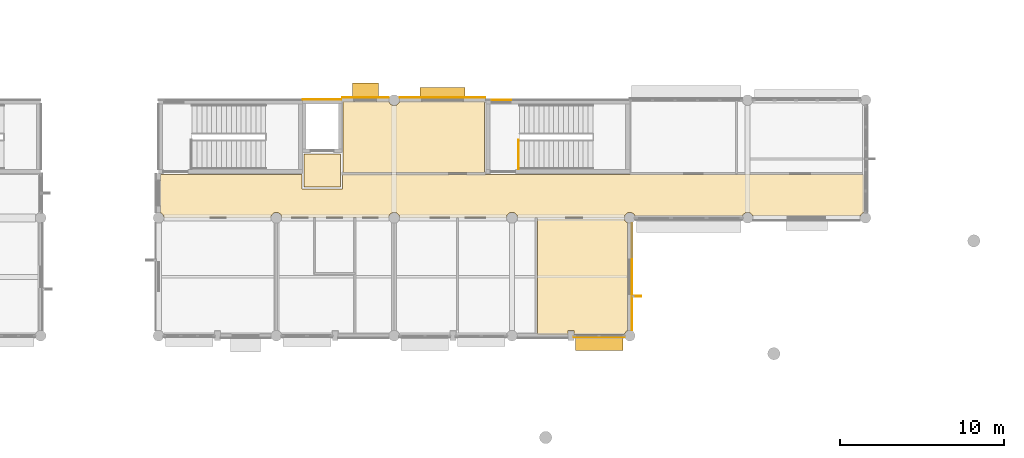
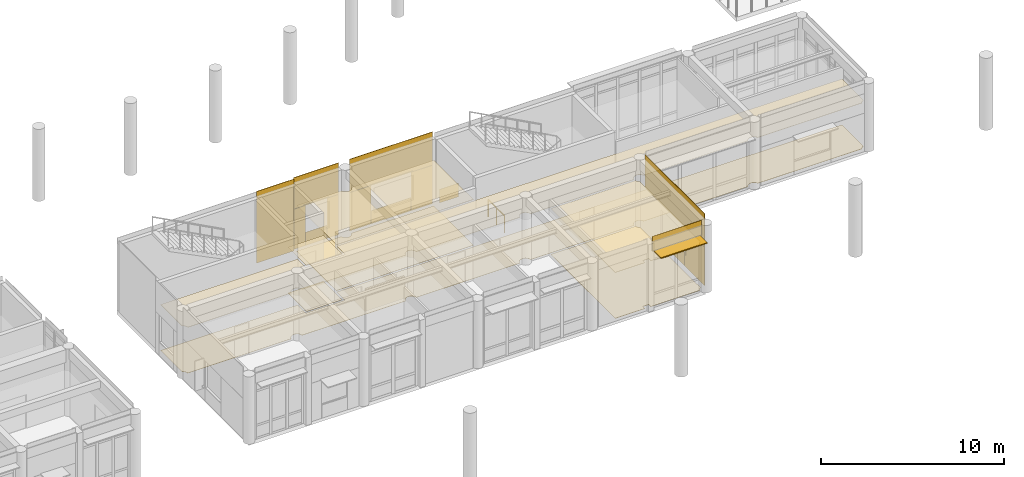
# One storey, part 75 of 92: 22 coverings, 4 shading devices, 1 railing.
"""IFC4 building model written with IfcOpenShell, lengths in metres."""

from ifc_helpers import new_model, si_unit, direction, frame, origin, origin_2d, place, context, subcontext, project, spatial, polyline, rectangle, circle, outline, extrude, material, layer, layer_set, type_object, element, save


model = new_model("IFC4")

# Units and contexts
model_context = context("Model", 3, precision=1e-05, world=origin(), true_north=direction((0.0, 1.0)))
body_context = subcontext(model_context, "Body", "Model", "MODEL_VIEW")
ifc_project = project(units=[si_unit("LENGTHUNIT", "METRE"), si_unit("AREAUNIT", "SQUARE_METRE"), si_unit("VOLUMEUNIT", "CUBIC_METRE"), si_unit("PLANEANGLEUNIT", "RADIAN"), si_unit("MASSUNIT", "GRAM", prefix="KILO")], contexts=[model_context])

# Site, building, storey
site_placement = place(None, origin())
site = spatial("IfcSite", under=ifc_project, at=site_placement, CompositionType="ELEMENT")
building_placement = place(site_placement, origin())
building = spatial("IfcBuilding", under=site, at=building_placement, Name="Namkhue Oval Health Centre", CompositionType="ELEMENT")
storey_placement = place(building_placement, frame((0.0, 0.0, 4.800048828125)))
storey = spatial("IfcBuildingStorey", under=building, at=storey_placement, Name="L01", CompositionType="ELEMENT", Elevation=4.800048828125)

# Coverings
ifc_material_1 = material(Name="Acoustic mineral-fibre cleanroom ceiling", Category="gypsum")
ifc_layer_1 = layer(ifc_material_1, 0.02001953125)
ifc_layer_set_1 = layer_set([ifc_layer_1], Name="Acoustic mineral-fibre cleanroom ceiling")
covering_type_1 = type_object("IfcCoveringType", Name="ACOUSTIC CLEANROOM CEILING 20", PredefinedType="CEILING", material=ifc_layer_set_1)
covering_1_placement = place(storey_placement, frame((0.0, 0.0, 3.050048828125)))
element("IfcCovering", 1, at=covering_1_placement, inside=storey, type_object=covering_type_1, Name="Acoustic Ceiling L01-LL6 Lift Lobby LF-06", PredefinedType="CEILING", context=body_context, shape_type="SweptSolid", body=[
    extrude(outline(polyline([(102.47998046875, 23.47998046875), (102.47998046875, 25.52001953125), (104.719970703125, 25.52001953125), (104.719970703125, 23.47998046875), (102.47998046875, 23.47998046875)])), origin(), (0.0, 0.0, 1.0), 0.02001953125),
])
covering_2_placement = place(storey_placement, frame((0.0, 0.0, 3.050048828125)))
element("IfcCovering", 2, at=covering_2_placement, inside=storey, type_object=covering_type_1, Name="Acoustic Ceiling L01-V5-C1 V5 Clinical Corridor", PredefinedType="CEILING", context=body_context, shape_type="SweptSolid", body=[
    extrude(outline(polyline([(115.52978515625, 21.639892578125), (115.523681640625, 21.686767578125), (115.489990234375, 21.767578125), (115.43701171875, 21.8369140625), (115.367431640625, 21.89013671875), (115.28662109375, 21.923583984375), (115.199951171875, 21.93505859375), (115.11328125, 21.923583984375), (115.032470703125, 21.89013671875), (114.963134765625, 21.8369140625), (114.909912109375, 21.767578125), (114.87646484375, 21.686767578125), (114.870361328125, 21.639892578125), (108.32958984375, 21.639892578125), (108.323486328125, 21.686767578125), (108.2900390625, 21.767578125), (108.23681640625, 21.8369140625), (108.16748046875, 21.89013671875), (108.086669921875, 21.923583984375), (108.0, 21.93505859375), (107.913330078125, 21.923583984375), (107.83251953125, 21.89013671875), (107.76318359375, 21.8369140625), (107.7099609375, 21.767578125), (107.676513671875, 21.686767578125), (107.67041015625, 21.639892578125), (101.129638671875, 21.639892578125), (101.12353515625, 21.686767578125), (101.090087890625, 21.767578125), (101.036865234375, 21.8369140625), (100.967529296875, 21.89013671875), (100.88671875, 21.923583984375), (100.800048828125, 21.93505859375), (100.71337890625, 21.923583984375), (100.632568359375, 21.89013671875), (100.56298828125, 21.8369140625), (100.510009765625, 21.767578125), (100.476318359375, 21.686767578125), (100.47021484375, 21.639892578125), (93.9296875, 21.639892578125), (93.923583984375, 21.686767578125), (93.89013671875, 21.767578125), (93.8369140625, 21.8369140625), (93.767578125, 21.89013671875), (93.72509765625, 21.90771484375), (93.72509765625, 24.260009765625), (102.360107421875, 24.260009765625), (102.360107421875, 23.39990234375), (102.363037109375, 23.384765625), (102.37158203125, 23.37158203125), (102.384765625, 23.363037109375), (102.39990234375, 23.360107421875), (104.800048828125, 23.360107421875), (104.815185546875, 23.363037109375), (104.833251953125, 23.377685546875), (104.840087890625, 23.39990234375), (104.840087890625, 24.260009765625), (136.675048828125, 24.260009765625), (136.675048828125, 21.90771484375), (136.632568359375, 21.89013671875), (136.56298828125, 21.8369140625), (136.510009765625, 21.767578125), (136.4921875, 21.72509765625), (129.90771484375, 21.72509765625), (129.89013671875, 21.767578125), (129.8369140625, 21.8369140625), (129.767578125, 21.89013671875), (129.686767578125, 21.923583984375), (129.60009765625, 21.93505859375), (129.51318359375, 21.923583984375), (129.4326171875, 21.89013671875), (129.363037109375, 21.8369140625), (129.309814453125, 21.767578125), (129.292236328125, 21.72509765625), (122.707763671875, 21.72509765625), (122.690185546875, 21.767578125), (122.636962890625, 21.8369140625), (122.5673828125, 21.89013671875), (122.48681640625, 21.923583984375), (122.39990234375, 21.93505859375), (122.313232421875, 21.923583984375), (122.232421875, 21.89013671875), (122.1630859375, 21.8369140625), (122.10986328125, 21.767578125), (122.076416015625, 21.686767578125), (122.0703125, 21.639892578125), (115.52978515625, 21.639892578125)])), origin(), (0.0, 0.0, 1.0), 0.02001953125),
])
covering_3_placement = place(storey_placement, frame((0.0, 0.0, 3.050048828125)))
element("IfcCovering", 3, at=covering_3_placement, inside=storey, type_object=covering_type_1, Name="Acoustic Ceiling L01-507 Orthodontics Consultation Room", PredefinedType="CEILING", context=body_context, shape_type="SweptSolid", body=[
    extrude(outline(polyline([(118.985107421875, 14.485107421875), (118.985107421875, 14.7099609375), (118.614990234375, 14.7099609375), (118.614990234375, 14.485107421875), (116.7451171875, 14.485107421875), (116.7451171875, 21.52001953125), (122.075439453125, 21.52001953125), (122.10986328125, 21.4326171875), (122.1630859375, 21.363037109375), (122.232421875, 21.309814453125), (122.2451171875, 21.3046875), (122.2451171875, 14.6953125), (122.232421875, 14.690185546875), (122.1630859375, 14.636962890625), (122.10986328125, 14.5673828125), (122.076171875, 14.485107421875), (118.985107421875, 14.485107421875)])), origin(), (0.0, 0.0, 1.0), 0.02001953125),
])
covering_4_placement = place(storey_placement, frame((0.0, 0.0, 3.050048828125)))
element("IfcCovering", 4, at=covering_4_placement, inside=storey, type_object=covering_type_1, Name="Acoustic Ceiling L01-508 Maxillofacial Consultation Room", PredefinedType="CEILING", context=body_context, shape_type="SweptSolid", body=[
    extrude(outline(polyline([(104.8798828125, 24.3798828125), (104.8798828125, 28.715087890625), (107.67626953125, 28.715087890625), (107.7099609375, 28.632568359375), (107.76318359375, 28.56298828125), (107.83251953125, 28.510009765625), (107.913330078125, 28.476318359375), (108.0, 28.465087890625), (108.086669921875, 28.476318359375), (108.16748046875, 28.510009765625), (108.23681640625, 28.56298828125), (108.2900390625, 28.632568359375), (108.32373046875, 28.715087890625), (113.52001953125, 28.715087890625), (113.52001953125, 24.3798828125), (104.8798828125, 24.3798828125)])), origin(), (0.0, 0.0, 1.0), 0.02001953125),
])
ifc_material_2 = material(Name="Homogeneous anti-bacterial clinical vinyl flooring", Category="plastic")
ifc_layer_2 = layer(ifc_material_2, 0.014892578125)
ifc_layer_set_2 = layer_set([ifc_layer_2], Name="Homogeneous anti-bacterial clinical vinyl flooring")
covering_type_2 = type_object("IfcCoveringType", Name="CLINICAL ANTIBACTERIAL VINYL FLOORING 15", PredefinedType="FLOORING", material=ifc_layer_set_2)
covering_5_placement = place(storey_placement, origin())
element("IfcCovering", 5, at=covering_5_placement, inside=storey, type_object=covering_type_2, Name="Clinical Flooring L01-LL6 Lift Lobby LF-06", PredefinedType="FLOORING", context=body_context, shape_type="SweptSolid", body=[
    extrude(outline(polyline([(102.47998046875, 23.47998046875), (102.47998046875, 25.52001953125), (104.719970703125, 25.52001953125), (104.719970703125, 23.47998046875), (102.47998046875, 23.47998046875)])), origin(), (0.0, 0.0, 1.0), 0.014892578125),
])
covering_6_placement = place(storey_placement, origin())
element("IfcCovering", 6, at=covering_6_placement, inside=storey, type_object=covering_type_2, Name="Clinical Flooring L01-V5-C1 V5 Clinical Corridor", PredefinedType="FLOORING", context=body_context, shape_type="SweptSolid", body=[
    extrude(outline(polyline([(115.52978515625, 21.639892578125), (115.523681640625, 21.686767578125), (115.489990234375, 21.767578125), (115.43701171875, 21.8369140625), (115.367431640625, 21.89013671875), (115.28662109375, 21.923583984375), (115.199951171875, 21.93505859375), (115.11328125, 21.923583984375), (115.032470703125, 21.89013671875), (114.963134765625, 21.8369140625), (114.909912109375, 21.767578125), (114.87646484375, 21.686767578125), (114.870361328125, 21.639892578125), (108.32958984375, 21.639892578125), (108.323486328125, 21.686767578125), (108.2900390625, 21.767578125), (108.23681640625, 21.8369140625), (108.16748046875, 21.89013671875), (108.086669921875, 21.923583984375), (108.0, 21.93505859375), (107.913330078125, 21.923583984375), (107.83251953125, 21.89013671875), (107.76318359375, 21.8369140625), (107.7099609375, 21.767578125), (107.676513671875, 21.686767578125), (107.67041015625, 21.639892578125), (101.129638671875, 21.639892578125), (101.12353515625, 21.686767578125), (101.090087890625, 21.767578125), (101.036865234375, 21.8369140625), (100.967529296875, 21.89013671875), (100.88671875, 21.923583984375), (100.800048828125, 21.93505859375), (100.71337890625, 21.923583984375), (100.632568359375, 21.89013671875), (100.56298828125, 21.8369140625), (100.510009765625, 21.767578125), (100.476318359375, 21.686767578125), (100.47021484375, 21.639892578125), (93.9296875, 21.639892578125), (93.923583984375, 21.686767578125), (93.89013671875, 21.767578125), (93.8369140625, 21.8369140625), (93.767578125, 21.89013671875), (93.72509765625, 21.90771484375), (93.72509765625, 24.260009765625), (102.360107421875, 24.260009765625), (102.360107421875, 23.39990234375), (102.363037109375, 23.384765625), (102.37158203125, 23.37158203125), (102.384765625, 23.363037109375), (102.39990234375, 23.360107421875), (104.800048828125, 23.360107421875), (104.815185546875, 23.363037109375), (104.833251953125, 23.377685546875), (104.840087890625, 23.39990234375), (104.840087890625, 24.260009765625), (136.675048828125, 24.260009765625), (136.675048828125, 21.90771484375), (136.632568359375, 21.89013671875), (136.56298828125, 21.8369140625), (136.510009765625, 21.767578125), (136.4921875, 21.72509765625), (129.90771484375, 21.72509765625), (129.89013671875, 21.767578125), (129.8369140625, 21.8369140625), (129.767578125, 21.89013671875), (129.686767578125, 21.923583984375), (129.60009765625, 21.93505859375), (129.51318359375, 21.923583984375), (129.4326171875, 21.89013671875), (129.363037109375, 21.8369140625), (129.309814453125, 21.767578125), (129.292236328125, 21.72509765625), (122.707763671875, 21.72509765625), (122.690185546875, 21.767578125), (122.636962890625, 21.8369140625), (122.5673828125, 21.89013671875), (122.48681640625, 21.923583984375), (122.39990234375, 21.93505859375), (122.313232421875, 21.923583984375), (122.232421875, 21.89013671875), (122.1630859375, 21.8369140625), (122.10986328125, 21.767578125), (122.076416015625, 21.686767578125), (122.0703125, 21.639892578125), (115.52978515625, 21.639892578125)])), origin(), (0.0, 0.0, 1.0), 0.014892578125),
])
covering_7_placement = place(storey_placement, origin())
element("IfcCovering", 7, at=covering_7_placement, inside=storey, type_object=covering_type_2, Name="Clinical Flooring L01-507 Orthodontics Consultation Room", PredefinedType="FLOORING", context=body_context, shape_type="SweptSolid", body=[
    extrude(outline(polyline([(118.985107421875, 14.485107421875), (118.985107421875, 14.7099609375), (118.614990234375, 14.7099609375), (118.614990234375, 14.485107421875), (116.7451171875, 14.485107421875), (116.7451171875, 21.52001953125), (122.075439453125, 21.52001953125), (122.10986328125, 21.4326171875), (122.1630859375, 21.363037109375), (122.232421875, 21.309814453125), (122.2451171875, 21.3046875), (122.2451171875, 14.6953125), (122.232421875, 14.690185546875), (122.1630859375, 14.636962890625), (122.10986328125, 14.5673828125), (122.076171875, 14.485107421875), (118.985107421875, 14.485107421875)])), origin(), (0.0, 0.0, 1.0), 0.014892578125),
])
covering_8_placement = place(storey_placement, origin())
element("IfcCovering", 8, at=covering_8_placement, inside=storey, type_object=covering_type_2, Name="Clinical Flooring L01-508 Maxillofacial Consultation Room", PredefinedType="FLOORING", context=body_context, shape_type="SweptSolid", body=[
    extrude(outline(polyline([(104.8798828125, 24.3798828125), (104.8798828125, 28.715087890625), (107.67626953125, 28.715087890625), (107.7099609375, 28.632568359375), (107.76318359375, 28.56298828125), (107.83251953125, 28.510009765625), (107.913330078125, 28.476318359375), (108.0, 28.465087890625), (108.086669921875, 28.476318359375), (108.16748046875, 28.510009765625), (108.23681640625, 28.56298828125), (108.2900390625, 28.632568359375), (108.32373046875, 28.715087890625), (113.52001953125, 28.715087890625), (113.52001953125, 24.3798828125), (104.8798828125, 24.3798828125)])), origin(), (0.0, 0.0, 1.0), 0.014892578125),
])

# Railing
ifc_material_3 = material(Name="Brushed stainless steel 316L balustrade with laminated glass infill", Category="steel")
railing_type = type_object("IfcRailingType", Name="INTERIOR BALUSTRADE GUARD 1150", PredefinedType="BALUSTRADE", material=ifc_material_3)
railing_placement = place(storey_placement, frame((115.60009765625, 24.590087890625, 0.0)))
element("IfcRailing", 9, at=railing_placement, inside=storey, type_object=railing_type, Name="Stair ST-10 L01 Landing Well Edge Guard", PredefinedType="BALUSTRADE", context=body_context, shape_type="SweptSolid", body=[
    extrude(circle(Radius=0.02392578125, at=origin_2d()), frame((0.0, 0.0, 1.1259765625), z_axis=(0.0, 1.0, 0.0), x_axis=(-1.0, 0.0, 0.0)), (0.0, 0.0, 1.0), 1.77001953125),
    extrude(circle(Radius=0.02099609375, at=origin_2d()), origin(), (0.0, 0.0, 1.0), 1.101806640625),
    extrude(circle(Radius=0.02099609375, at=origin_2d()), frame((0.0, 0.885009765625, 0.0)), (0.0, 0.0, 1.0), 1.101806640625),
    extrude(circle(Radius=0.02099609375, at=origin_2d()), frame((0.0, 1.77001953125, 0.0)), (0.0, 0.0, 1.0), 1.101806640625),
])

# Shading devices
ifc_material_4 = material(Name="Anodised aluminium EN AW-6063 T6", Category="aluminium")
ifc_layer_3 = layer(ifc_material_4, 0.06005859375)
ifc_layer_set_3 = layer_set([ifc_layer_3], Name="Anodised aluminium EN AW-6063 T6")
shading_device_type_1 = type_object("IfcShadingDeviceType", Name="MONSOON SUN LOUVRE 900", PredefinedType="JALOUSIE", material=ifc_layer_set_3)
shading_device_1_placement = place(storey_placement, frame((120.525390625, 13.949951171875, 3.77001953125), z_axis=(0.0, 0.0, 1.0), x_axis=(1.0, 0.0, 0.0)))
element("IfcShadingDevice", 10, at=shading_device_1_placement, inside=storey, type_object=shading_device_type_1, Name="Volume V5 L01 Horizontal Monsoon Sun Louvre 256", PredefinedType="JALOUSIE", context=body_context, shape_type="SweptSolid", body=[
    extrude(rectangle(XDim=2.908935546875, YDim=0.89990234375, at=origin_2d()), origin(), (0.0, 0.0, 1.0), 0.06005859375),
])
shading_device_2_placement = place(storey_placement, frame((106.240966796875, 29.385009765625, 2.699951171875), z_axis=(0.0, 0.0, 1.0), x_axis=(-1.0, 0.0, 0.0)))
element("IfcShadingDevice", 11, at=shading_device_2_placement, inside=storey, type_object=shading_device_type_1, Name="Volume V5 L01 Window Monsoon Louvre 264", PredefinedType="JALOUSIE", context=body_context, shape_type="SweptSolid", body=[
    extrude(rectangle(XDim=1.590087890625, YDim=0.89990234375, at=origin_2d()), origin(), (0.0, 0.0, 1.0), 0.06005859375),
])
ifc_layer_4 = layer(ifc_material_4, 0.050048828125)
ifc_layer_set_4 = layer_set([ifc_layer_4], Name="Anodised aluminium EN AW-6063 T6")
shading_device_type_2 = type_object("IfcShadingDeviceType", Name="STORM SHUTTER LOUVRE 650", PredefinedType="SHUTTER", material=ifc_layer_set_4)
shading_device_3_placement = place(storey_placement, frame((110.958984375, 29.2548828125, 2.579833984375), z_axis=(0.0, 0.0, 1.0), x_axis=(-1.0, 0.0, 0.0)))
element("IfcShadingDevice", 12, at=shading_device_3_placement, inside=storey, type_object=shading_device_type_2, Name="Volume V5 L01 Window Monsoon Louvre 263", PredefinedType="SHUTTER", context=body_context, shape_type="SweptSolid", body=[
    extrude(rectangle(XDim=2.739990234375, YDim=0.64990234375, at=origin_2d()), origin(), (0.0, 0.0, 1.0), 0.06005859375),
])
shading_device_type_3 = type_object("IfcShadingDeviceType", Name="VERTICAL SOLAR FIN 600", PredefinedType="USERDEFINED", material=ifc_material_4)
shading_device_4_placement = place(storey_placement, frame((122.81005859375, 16.81005859375, 0.7998046875), z_axis=(0.0, 0.0, 1.0), x_axis=(1.0, 0.0, 0.0)))
element("IfcShadingDevice", 13, at=shading_device_4_placement, inside=storey, type_object=shading_device_type_3, Name="Volume V5 L01 Window Solar Fin 257", ObjectType="SOLAR FIN", PredefinedType="USERDEFINED", context=body_context, shape_type="SweptSolid", body=[
    extrude(rectangle(XDim=0.60009765625, YDim=0.06005859375, at=origin_2d()), origin(), (0.0, 0.0, 1.0), 1.860107421875),
])

# Coverings
ifc_material_5 = material(Name="White glass-fibre reinforced concrete GRC rainscreen cladding", Category="concrete")
ifc_layer_5 = layer(ifc_material_5, 0.02490234375)
ifc_layer_set_5 = layer_set([ifc_layer_5], Name="White glass-fibre reinforced concrete GRC rainscreen cladding")
covering_type_3 = type_object("IfcCoveringType", Name="WHITE GRC RAINSCREEN CLADDING 25", PredefinedType="CLADDING", material=ifc_layer_set_5)
covering_9_placement = place(storey_placement, frame((120.525390625, 14.3115234375, 3.824951171875), z_axis=(0.0, 0.0, 1.0), x_axis=(1.0, 0.0, 0.0)))
element("IfcCovering", 14, at=covering_9_placement, inside=storey, type_object=covering_type_3, Name="Volume V5 L01 Curtain Wall Spandrel Cladding 191", PredefinedType="CLADDING", context=body_context, shape_type="SweptSolid", body=[
    extrude(rectangle(XDim=3.09912109375, YDim=0.02490234375, at=origin_2d()), origin(), (0.0, 0.0, 1.0), 0.97509765625),
])
covering_10_placement = place(storey_placement, frame((122.5419921875, 18.0, 2.57470703125), z_axis=(0.0, 0.0, 1.0), x_axis=(0.0, 1.0, 0.0)))
element("IfcCovering", 15, at=covering_10_placement, inside=storey, type_object=covering_type_3, Name="Volume V5 L01 Facade 121 White GRC Cladding 1", PredefinedType="CLADDING", context=body_context, shape_type="SweptSolid", body=[
    extrude(rectangle(XDim=6.52001953125, YDim=0.02490234375, at=origin_2d()), origin(), (0.0, 0.0, 1.0), 2.215087890625),
])
covering_11_placement = place(storey_placement, frame((122.5419921875, 15.83740234375, 0.010009765625), z_axis=(0.0, 0.0, 1.0), x_axis=(0.0, 1.0, 0.0)))
element("IfcCovering", 16, at=covering_11_placement, inside=storey, type_object=covering_type_3, Name="Volume V5 L01 Facade 121 White GRC Cladding 2", PredefinedType="CLADDING", context=body_context, shape_type="SweptSolid", body=[
    extrude(rectangle(XDim=2.195068359375, YDim=0.02490234375, at=origin_2d()), origin(), (0.0, 0.0, 1.0), 2.56005859375),
])
covering_12_placement = place(storey_placement, frame((122.5419921875, 18.0, 0.010009765625), z_axis=(0.0, 0.0, 1.0), x_axis=(0.0, 1.0, 0.0)))
element("IfcCovering", 17, at=covering_12_placement, inside=storey, type_object=covering_type_3, Name="Volume V5 L01 Facade 121 White GRC Cladding 3", PredefinedType="CLADDING", context=body_context, shape_type="SweptSolid", body=[
    extrude(rectangle(XDim=2.1201171875, YDim=0.02490234375, at=origin_2d()), origin(), (0.0, 0.0, 1.0), 0.875),
])
covering_13_placement = place(storey_placement, frame((110.958984375, 28.951904296875, 2.57470703125), z_axis=(0.0, 0.0, 1.0), x_axis=(-1.0, 0.0, 0.0)))
element("IfcCovering", 18, at=covering_13_placement, inside=storey, type_object=covering_type_3, Name="Volume V5 L01 Facade 123 White GRC Cladding 1", PredefinedType="CLADDING", context=body_context, shape_type="SweptSolid", body=[
    extrude(rectangle(XDim=5.238037109375, YDim=0.02490234375, at=origin_2d()), origin(), (0.0, 0.0, 1.0), 2.215087890625),
])
covering_14_placement = place(storey_placement, frame((112.90087890625, 28.951904296875, 0.010009765625), z_axis=(0.0, 0.0, 1.0), x_axis=(-1.0, 0.0, 0.0)))
element("IfcCovering", 19, at=covering_14_placement, inside=storey, type_object=covering_type_3, Name="Volume V5 L01 Facade 123 White GRC Cladding 2", PredefinedType="CLADDING", context=body_context, shape_type="SweptSolid", body=[
    extrude(rectangle(XDim=1.35400390625, YDim=0.02490234375, at=origin_2d()), origin(), (0.0, 0.0, 1.0), 2.56005859375),
])
covering_15_placement = place(storey_placement, frame((110.958984375, 28.951904296875, 0.010009765625), z_axis=(0.0, 0.0, 1.0), x_axis=(-1.0, 0.0, 0.0)))
element("IfcCovering", 20, at=covering_15_placement, inside=storey, type_object=covering_type_3, Name="Volume V5 L01 Facade 123 White GRC Cladding 3", PredefinedType="CLADDING", context=body_context, shape_type="SweptSolid", body=[
    extrude(rectangle(XDim=2.52001953125, YDim=0.02490234375, at=origin_2d()), origin(), (0.0, 0.0, 1.0), 0.875),
])
covering_16_placement = place(storey_placement, frame((109.01708984375, 28.951904296875, 0.010009765625), z_axis=(0.0, 0.0, 1.0), x_axis=(-1.0, 0.0, 0.0)))
element("IfcCovering", 21, at=covering_16_placement, inside=storey, type_object=covering_type_3, Name="Volume V5 L01 Facade 123 White GRC Cladding 4", PredefinedType="CLADDING", context=body_context, shape_type="SweptSolid", body=[
    extrude(rectangle(XDim=1.35400390625, YDim=0.02490234375, at=origin_2d()), origin(), (0.0, 0.0, 1.0), 2.56005859375),
])
covering_17_placement = place(storey_placement, frame((106.240966796875, 28.95703125, 2.69482421875), z_axis=(0.0, 0.0, 1.0), x_axis=(-1.0, 0.0, 0.0)))
element("IfcCovering", 22, at=covering_17_placement, inside=storey, type_object=covering_type_3, Name="Volume V5 L01 Facade 124 White GRC Cladding 1", PredefinedType="CLADDING", context=body_context, shape_type="SweptSolid", body=[
    extrude(rectangle(XDim=2.837890625, YDim=0.02490234375, at=origin_2d()), origin(), (0.0, 0.0, 1.0), 2.094970703125),
])
covering_18_placement = place(storey_placement, frame((107.29541015625, 28.95703125, 0.009765625), z_axis=(0.0, 0.0, 1.0), x_axis=(-1.0, 0.0, 0.0)))
element("IfcCovering", 23, at=covering_18_placement, inside=storey, type_object=covering_type_3, Name="Volume V5 L01 Facade 124 White GRC Cladding 2", PredefinedType="CLADDING", context=body_context, shape_type="SweptSolid", body=[
    extrude(rectangle(XDim=0.72900390625, YDim=0.02490234375, at=origin_2d()), origin(), (0.0, 0.0, 1.0), 2.679931640625),
])
covering_19_placement = place(storey_placement, frame((106.240966796875, 28.95703125, 0.010009765625), z_axis=(0.0, 0.0, 1.0), x_axis=(-1.0, 0.0, 0.0)))
element("IfcCovering", 24, at=covering_19_placement, inside=storey, type_object=covering_type_3, Name="Volume V5 L01 Facade 124 White GRC Cladding 3", PredefinedType="CLADDING", context=body_context, shape_type="SweptSolid", body=[
    extrude(rectangle(XDim=1.3701171875, YDim=0.02490234375, at=origin_2d()), origin(), (0.0, 0.0, 1.0), 0.875),
])
covering_20_placement = place(storey_placement, frame((105.1865234375, 28.95703125, 0.009765625), z_axis=(0.0, 0.0, 1.0), x_axis=(-1.0, 0.0, 0.0)))
element("IfcCovering", 25, at=covering_20_placement, inside=storey, type_object=covering_type_3, Name="Volume V5 L01 Facade 124 White GRC Cladding 4", PredefinedType="CLADDING", context=body_context, shape_type="SweptSolid", body=[
    extrude(rectangle(XDim=0.72900390625, YDim=0.02490234375, at=origin_2d()), origin(), (0.0, 0.0, 1.0), 2.679931640625),
])
covering_21_placement = place(storey_placement, frame((114.5400390625, 28.81201171875, 0.010009765625), z_axis=(0.0, 0.0, 1.0), x_axis=(-1.0, 0.0, 0.0)))
element("IfcCovering", 26, at=covering_21_placement, inside=storey, type_object=covering_type_3, Name="Core SC-10 L01 Core N White GRC Cladding 3", PredefinedType="CLADDING", context=body_context, shape_type="SweptSolid", body=[
    extrude(rectangle(XDim=1.199951171875, YDim=0.02490234375, at=origin_2d()), origin(), (0.0, 0.0, 1.0), 0.89501953125),
])
covering_22_placement = place(storey_placement, frame((103.60009765625, 28.8369140625, 0.009765625), z_axis=(0.0, 0.0, 1.0), x_axis=(-1.0, 0.0, 0.0)))
element("IfcCovering", 27, at=covering_22_placement, inside=storey, type_object=covering_type_3, Name="Lift LF-06 L01 N White GRC Cladding 1", PredefinedType="CLADDING", context=body_context, shape_type="SweptSolid", body=[
    extrude(rectangle(XDim=2.360107421875, YDim=0.02490234375, at=origin_2d()), origin(), (0.0, 0.0, 1.0), 4.780029296875),
])

save(model, "model.ifc")
